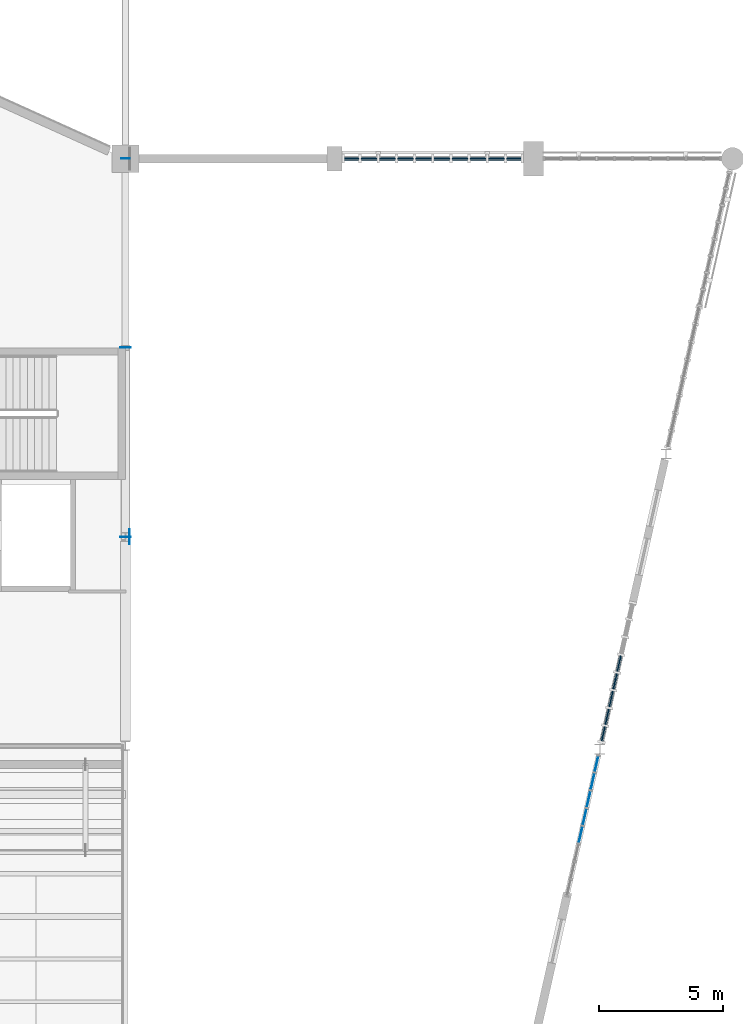
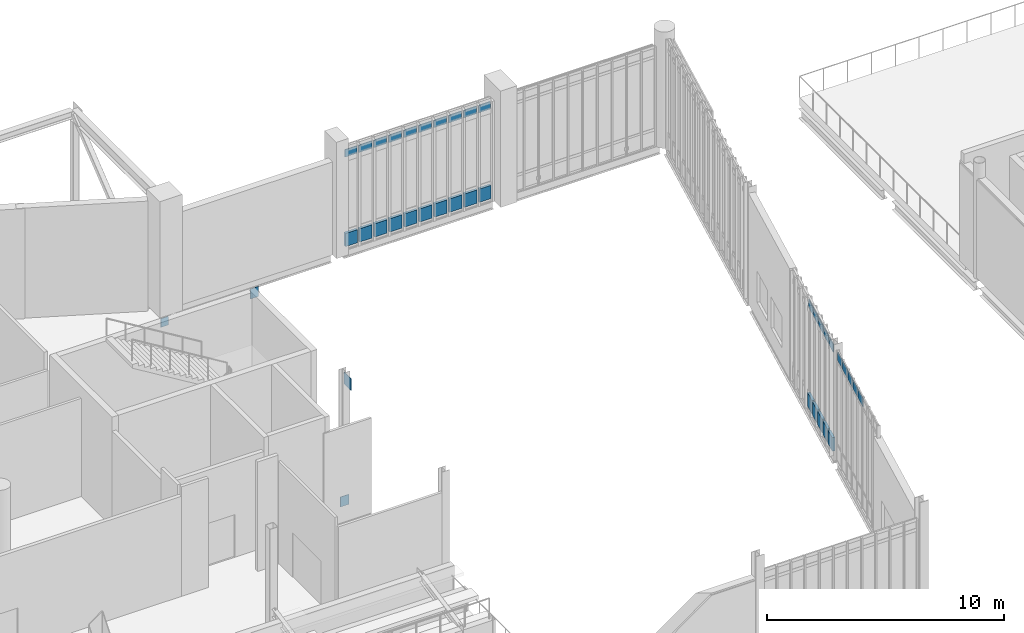
# One storey, part 99 of 135: 39 plates, 3 elements without a shape of their own.
"""IFC4 building model written with IfcOpenShell, lengths in metres."""

import ifcopenshell
import ifcopenshell.guid

model = None  # the IFC model being written
_history = None  # IfcOwnerHistory: only IFC2X3 demands one
_inside = {}  # id of a spatial element -> (the spatial element, [elements in it])
_under = {}  # id of a project, library or spatial element -> (it, [spatial elements below it])
_declared = {}  # id of a project -> (the project, [libraries it declares])
_typed = {}  # id of a type object -> (the type object, [elements of that type])
_made_of = {}  # id of a material, layer set ... -> (it, [elements and type objects made of it])


def new_model(schema):
    """Start an empty IFC model of exactly this schema.

    Asked for "IFC4X3", IfcOpenShell would pick the latest addendum, in which some entities
    have other attributes; the version numbers below select the first issue.
    IFC2X3 requires an IfcOwnerHistory on every rooted entity: one is made here for all.
    """
    global model, _history
    if schema == "IFC4X3":
        model = ifcopenshell.file(schema_version=(4, 3, 0, 0))
    else:
        model = ifcopenshell.file(schema=schema)
    _inside.clear()
    _under.clear()
    _declared.clear()
    _typed.clear()
    _made_of.clear()
    _history = None
    if model.schema == "IFC2X3":
        org = make("IfcOrganization", Name="unknown")
        user = make(
            "IfcPersonAndOrganization",
            ThePerson=make("IfcPerson", FamilyName="unknown"),
            TheOrganization=org,
        )
        app = make(
            "IfcApplication",
            ApplicationDeveloper=org,
            Version="unknown",
            ApplicationFullName="unknown",
            ApplicationIdentifier="unknown",
        )
        _history = make(
            "IfcOwnerHistory",
            OwningUser=user,
            OwningApplication=app,
            ChangeAction="ADDED",
            CreationDate=0,
        )
    return model


def make(cls, **values):
    """One entity of the class cls with the attributes given. An attribute that is None is left unset."""
    return model.create_entity(
        cls, **{name: value for name, value in values.items() if value is not None}
    )


def rooted(cls, **values):
    """An entity with a GlobalId (a new one), such as an element, a storey or a relation."""
    return make(cls, GlobalId=ifcopenshell.guid.new(), OwnerHistory=_history, **values)


def si_unit(unit_type, name, prefix=None):
    """IfcSIUnit, for example si_unit("LENGTHUNIT", "METRE", prefix="MILLI")."""
    return make("IfcSIUnit", UnitType=unit_type, Prefix=prefix, Name=name)


def assignment(units):
    """IfcUnitAssignment: the units of a project."""
    return None if units is None else make("IfcUnitAssignment", Units=units)


def point(xyz):
    """IfcCartesianPoint."""
    return None if xyz is None else make("IfcCartesianPoint", Coordinates=xyz)


def direction(xyz):
    """IfcDirection."""
    return None if xyz is None else make("IfcDirection", DirectionRatios=xyz)


def frame(location, z_axis=None, x_axis=None):
    """IfcAxis2Placement3D, a coordinate frame: its origin and axes. An axis left out is left unset."""
    return make(
        "IfcAxis2Placement3D",
        Location=point(location),
        Axis=direction(z_axis),
        RefDirection=direction(x_axis),
    )


def frame_2d(location, x_axis=None):
    """IfcAxis2Placement2D, a coordinate frame in the plane: its origin and x axis."""
    return make(
        "IfcAxis2Placement2D", Location=point(location), RefDirection=direction(x_axis)
    )


def origin():
    """The frame at (0, 0, 0) with its axes left unset."""
    return frame((0.0, 0.0, 0.0))


def origin_2d():
    """The frame at (0, 0) in the plane with its x axis left unset."""
    return frame_2d((0.0, 0.0))


def place(relative_to, where):
    """IfcLocalPlacement: puts the frame where relative to a parent placement (None: the world)."""
    return make(
        "IfcLocalPlacement", PlacementRelTo=relative_to, RelativePlacement=where
    )


def context(
    kind, dimensions, precision=None, world=None, true_north=None, identifier=None
):
    """IfcGeometricRepresentationContext, for example the 3D "Model" context."""
    return make(
        "IfcGeometricRepresentationContext",
        ContextIdentifier=identifier,
        ContextType=kind,
        CoordinateSpaceDimension=dimensions,
        Precision=precision,
        WorldCoordinateSystem=world,
        TrueNorth=true_north,
    )


def subcontext(parent, identifier, kind, view, scale=None):
    """IfcGeometricRepresentationSubContext, for example "Body" below "Model"."""
    return make(
        "IfcGeometricRepresentationSubContext",
        ContextIdentifier=identifier,
        ContextType=kind,
        ParentContext=parent,
        TargetScale=scale,
        TargetView=view,
    )


def project(units=None, contexts=None):
    """IfcProject with its units and contexts."""
    return rooted(
        "IfcProject",
        Name="project",
        RepresentationContexts=contexts,
        UnitsInContext=assignment(units),
    )


def spatial(cls, under=None, at=None, **own):
    """A site, building, storey or space (cls), placed at a placement, below another one or the project."""
    s = rooted(cls, ObjectPlacement=at, **own)
    if under is not None:
        _under.setdefault(under.id(), (under, []))[1].append(s)
    return s


def profile(cls, at=None, kind="AREA", **sizes):
    """A parametric profile (cls). Its sizes go by their IFC names, for example OverallWidth=200.0."""
    return make(cls, ProfileType=kind, Position=at, **sizes)


def rectangle(**sizes):
    """IfcRectangleProfileDef."""
    return profile("IfcRectangleProfileDef", **sizes)


def extrude(swept, where, along, depth):
    """IfcExtrudedAreaSolid: the profile swept, set in the frame where, extruded along a direction by depth."""
    return make(
        "IfcExtrudedAreaSolid",
        SweptArea=swept,
        Position=where,
        ExtrudedDirection=direction(along),
        Depth=depth,
    )


def shape(context_of_items, identifier, shape_type, items):
    """IfcShapeRepresentation: the items that make up one representation, for example the "Body"."""
    return make(
        "IfcShapeRepresentation",
        ContextOfItems=context_of_items,
        RepresentationIdentifier=identifier,
        RepresentationType=shape_type,
        Items=items,
    )


def material(Name=None, Category=None):
    """IfcMaterial."""
    return make("IfcMaterial", Name=Name, Category=Category)


def layer(
    of_material, thickness, ventilated=None, Name=None, Category=None, Priority=None
):
    """IfcMaterialLayer: one layer of a wall or slab, of a material (None: an air gap)."""
    return make(
        "IfcMaterialLayer",
        Material=of_material,
        LayerThickness=thickness,
        IsVentilated=ventilated,
        Name=Name,
        Category=Category,
        Priority=Priority,
    )


def layer_set(layers, Name=None):
    """IfcMaterialLayerSet."""
    return make("IfcMaterialLayerSet", MaterialLayers=layers, LayerSetName=Name)


def made_of(thing, what):
    """Note that an element or type object is made of a material, layer set ...; save() writes the relation."""
    if what is not None:
        _made_of.setdefault(what.id(), (what, []))[1].append(thing)
    return thing


def type_object(cls, material=None, **own):
    """A type object (cls), such as IfcWallType, which elements share."""
    return made_of(rooted(cls, **own), material)


def element(
    cls,
    number,
    at=None,
    inside=None,
    cuts=None,
    type_object=None,
    material=None,
    context=None,
    identifier="Body",
    shape_type=None,
    held_by="IfcProductDefinitionShape",
    body=None,
    shapes=None,
    **own,
):
    """One element of the class cls, such as IfcWall. Its Tag is "e" and its number.

    at: its placement. inside: the storey or other place that contains it. cuts: it is an
    opening in that element (IfcRelVoidsElement). A single representation is given by context,
    identifier, shape_type and body (its items); several are given by shapes. held_by: the class
    of the entity that holds the representations. save() writes the other relations.
    """
    e = rooted(cls, Tag="e%d" % number, ObjectPlacement=at, **own)
    if body is not None:
        shapes = [shape(context, identifier, shape_type, body)]
    if shapes is not None:
        e.Representation = make(held_by, Representations=shapes)
    if inside is not None:
        _inside.setdefault(inside.id(), (inside, []))[1].append(e)
    if cuts is not None:
        rooted(
            "IfcRelVoidsElement", RelatingBuildingElement=cuts, RelatedOpeningElement=e
        )
    if type_object is not None:
        _typed.setdefault(type_object.id(), (type_object, []))[1].append(e)
    return made_of(e, material)


def aggregate(whole, parts):
    """IfcRelAggregates: a whole, such as a stair, and the parts it consists of."""
    return rooted("IfcRelAggregates", RelatingObject=whole, RelatedObjects=parts)


def save(model, path):
    """Write the relations noted so far, then the file.

    IfcRelAggregates (storeys below a building ...), IfcRelContainedInSpatialStructure (elements
    in a storey), IfcRelDefinesByType, IfcRelAssociatesMaterial and IfcRelDeclares: one each for
    every whole, place, type object, material and project.
    """
    for whole, parts in _under.values():
        aggregate(whole, parts)
    for where, things in _inside.values():
        rooted(
            "IfcRelContainedInSpatialStructure",
            RelatedElements=things,
            RelatingStructure=where,
        )
    for kind, things in _typed.values():
        rooted("IfcRelDefinesByType", RelatedObjects=things, RelatingType=kind)
    for what, things in _made_of.values():
        rooted("IfcRelAssociatesMaterial", RelatedObjects=things, RelatingMaterial=what)
    for by, libraries in _declared.values():
        rooted("IfcRelDeclares", RelatingContext=by, RelatedDefinitions=libraries)
    model.write(path)


model = new_model("IFC4")

# Units and contexts
model_context = context("Model", 3, precision=1e-05, world=origin(), true_north=direction((0.0, 1.0)))
body_context = subcontext(model_context, "Body", "Model", "MODEL_VIEW")
ifc_project = project(units=[si_unit("LENGTHUNIT", "METRE"), si_unit("AREAUNIT", "SQUARE_METRE"), si_unit("VOLUMEUNIT", "CUBIC_METRE"), si_unit("PLANEANGLEUNIT", "RADIAN"), si_unit("MASSUNIT", "GRAM", prefix="KILO")], contexts=[model_context])

# Site, building, storey
site_placement = place(None, origin())
site = spatial("IfcSite", under=ifc_project, at=site_placement, CompositionType="ELEMENT")
building_placement = place(site_placement, origin())
building = spatial("IfcBuilding", under=site, at=building_placement, Name="Larkvane Passage Sports Hall", CompositionType="ELEMENT")
storey_placement = place(building_placement, frame((0.0, 0.0, 10.800048828125)))
storey = spatial("IfcBuildingStorey", under=building, at=storey_placement, Name="L02", CompositionType="ELEMENT", Elevation=10.800048828125)

# Curtain wall, plates
ifc_material_1 = material(Name="Thermally broken aluminium and low-E glazing", Category="aluminium")
curtain_wall_type_1 = type_object("IfcCurtainWallType", Name="CW-CLINIC", PredefinedType="USERDEFINED", material=ifc_material_1)
curtain_wall_1_placement = place(storey_placement, origin())
curtain_wall_1 = element("IfcCurtainWall", 1, at=curtain_wall_1_placement, inside=storey, type_object=curtain_wall_type_1, Name="Curtain wall CW5-L02-079", ObjectType="UNITISED CURTAIN WALL", PredefinedType="USERDEFINED")
ifc_material_2 = material(Name="Deep insulated facade spandrel panel")
ifc_layer_1 = layer(ifc_material_2, 0.125)
ifc_layer_set_1 = layer_set([ifc_layer_1], Name="Deep insulated facade spandrel panel")
plate_type_1 = type_object("IfcPlateType", Name="CWP-SPD-125", PredefinedType="CURTAIN_PANEL", material=ifc_layer_set_1)
plate_1_placement = place(storey_placement, frame((102.68896484375, 99.199951171875, 0.10986328125), z_axis=(0.0, 0.0, 1.0), x_axis=(1.0, 0.0, 0.0)))
plate_1 = element("IfcPlate", 2, at=plate_1_placement, type_object=plate_type_1, Name="CW-05 panel 1.1", PredefinedType="CURTAIN_PANEL", context=body_context, shape_type="SweptSolid", body=[
    extrude(rectangle(XDim=0.56591796875, YDim=0.125, at=origin_2d()), origin(), (0.0, 0.0, 1.0), 0.68505859375),
])
plate_2_placement = place(storey_placement, frame((103.39208984375, 99.199951171875, 0.10986328125), z_axis=(0.0, 0.0, 1.0), x_axis=(1.0, 0.0, 0.0)))
plate_2 = element("IfcPlate", 3, at=plate_2_placement, type_object=plate_type_1, Name="CW-05 panel 2.1", PredefinedType="CURTAIN_PANEL", context=body_context, shape_type="SweptSolid", body=[
    extrude(rectangle(XDim=0.620849609375, YDim=0.125, at=origin_2d()), origin(), (0.0, 0.0, 1.0), 0.68505859375),
])
plate_3_placement = place(storey_placement, frame((104.123046875, 99.199951171875, 0.10986328125), z_axis=(0.0, 0.0, 1.0), x_axis=(1.0, 0.0, 0.0)))
plate_3 = element("IfcPlate", 4, at=plate_3_placement, type_object=plate_type_1, Name="CW-05 panel 3.1", PredefinedType="CURTAIN_PANEL", context=body_context, shape_type="SweptSolid", body=[
    extrude(rectangle(XDim=0.620849609375, YDim=0.125, at=origin_2d()), origin(), (0.0, 0.0, 1.0), 0.68505859375),
])
plate_4_placement = place(storey_placement, frame((104.853759765625, 99.199951171875, 0.10986328125), z_axis=(0.0, 0.0, 1.0), x_axis=(1.0, 0.0, 0.0)))
plate_4 = element("IfcPlate", 5, at=plate_4_placement, type_object=plate_type_1, Name="CW-05 panel 4.1", PredefinedType="CURTAIN_PANEL", context=body_context, shape_type="SweptSolid", body=[
    extrude(rectangle(XDim=0.620849609375, YDim=0.125, at=origin_2d()), origin(), (0.0, 0.0, 1.0), 0.68505859375),
])
plate_5_placement = place(storey_placement, frame((105.584716796875, 99.199951171875, 0.10986328125), z_axis=(0.0, 0.0, 1.0), x_axis=(1.0, 0.0, 0.0)))
plate_5 = element("IfcPlate", 6, at=plate_5_placement, type_object=plate_type_1, Name="CW-05 panel 5.1", PredefinedType="CURTAIN_PANEL", context=body_context, shape_type="SweptSolid", body=[
    extrude(rectangle(XDim=0.620849609375, YDim=0.125, at=origin_2d()), origin(), (0.0, 0.0, 1.0), 0.68505859375),
])
plate_6_placement = place(storey_placement, frame((106.3154296875, 99.199951171875, 0.10986328125), z_axis=(0.0, 0.0, 1.0), x_axis=(1.0, 0.0, 0.0)))
plate_6 = element("IfcPlate", 7, at=plate_6_placement, type_object=plate_type_1, Name="CW-05 panel 6.1", PredefinedType="CURTAIN_PANEL", context=body_context, shape_type="SweptSolid", body=[
    extrude(rectangle(XDim=0.620849609375, YDim=0.125, at=origin_2d()), origin(), (0.0, 0.0, 1.0), 0.68505859375),
])
plate_7_placement = place(storey_placement, frame((107.046142578125, 99.199951171875, 0.10986328125), z_axis=(0.0, 0.0, 1.0), x_axis=(1.0, 0.0, 0.0)))
plate_7 = element("IfcPlate", 8, at=plate_7_placement, type_object=plate_type_1, Name="CW-05 panel 7.1", PredefinedType="CURTAIN_PANEL", context=body_context, shape_type="SweptSolid", body=[
    extrude(rectangle(XDim=0.620849609375, YDim=0.125, at=origin_2d()), origin(), (0.0, 0.0, 1.0), 0.68505859375),
])
plate_8_placement = place(storey_placement, frame((107.777099609375, 99.199951171875, 0.10986328125), z_axis=(0.0, 0.0, 1.0), x_axis=(1.0, 0.0, 0.0)))
plate_8 = element("IfcPlate", 9, at=plate_8_placement, type_object=plate_type_1, Name="CW-05 panel 8.1", PredefinedType="CURTAIN_PANEL", context=body_context, shape_type="SweptSolid", body=[
    extrude(rectangle(XDim=0.620849609375, YDim=0.125, at=origin_2d()), origin(), (0.0, 0.0, 1.0), 0.68505859375),
])
plate_9_placement = place(storey_placement, frame((108.5078125, 99.199951171875, 0.10986328125), z_axis=(0.0, 0.0, 1.0), x_axis=(1.0, 0.0, 0.0)))
plate_9 = element("IfcPlate", 10, at=plate_9_placement, type_object=plate_type_1, Name="CW-05 panel 9.1", PredefinedType="CURTAIN_PANEL", context=body_context, shape_type="SweptSolid", body=[
    extrude(rectangle(XDim=0.620849609375, YDim=0.125, at=origin_2d()), origin(), (0.0, 0.0, 1.0), 0.68505859375),
])
plate_10_placement = place(storey_placement, frame((109.211181640625, 99.199951171875, 0.10986328125), z_axis=(0.0, 0.0, 1.0), x_axis=(1.0, 0.0, 0.0)))
plate_10 = element("IfcPlate", 11, at=plate_10_placement, type_object=plate_type_1, Name="CW-05 panel 10.1", PredefinedType="CURTAIN_PANEL", context=body_context, shape_type="SweptSolid", body=[
    extrude(rectangle(XDim=0.56591796875, YDim=0.125, at=origin_2d()), origin(), (0.0, 0.0, 1.0), 0.68505859375),
])

curtain_wall_2_placement = place(storey_placement, origin())
curtain_wall_2 = element("IfcCurtainWall", 12, at=curtain_wall_2_placement, inside=storey, type_object=curtain_wall_type_1, Name="Curtain wall CW5-L02-083", ObjectType="UNITISED CURTAIN WALL", PredefinedType="USERDEFINED")
plate_11_placement = place(storey_placement, frame((113.439697265625, 78.90625, 0.10009765625), z_axis=(0.0, 0.0, 1.0), x_axis=(-0.219244189156, -0.975670018767, 0.0)))
plate_11 = element("IfcPlate", 13, at=plate_11_placement, type_object=plate_type_1, Name="CW-05 panel 4.1", PredefinedType="CURTAIN_PANEL", context=body_context, shape_type="SweptSolid", body=[
    extrude(rectangle(XDim=0.63037109375, YDim=0.125, at=origin_2d()), origin(), (0.0, 0.0, 1.0), 0.699951171875),
])
plate_12_placement = place(storey_placement, frame((113.279541015625, 78.193603515625, 0.10009765625), z_axis=(0.0, 0.0, 1.0), x_axis=(-0.219244189156, -0.975670018767, 0.0)))
plate_12 = element("IfcPlate", 14, at=plate_12_placement, type_object=plate_type_1, Name="CW-05 panel 5.1", PredefinedType="CURTAIN_PANEL", context=body_context, shape_type="SweptSolid", body=[
    extrude(rectangle(XDim=0.63037109375, YDim=0.125, at=origin_2d()), origin(), (0.0, 0.0, 1.0), 0.699951171875),
])
plate_13_placement = place(storey_placement, frame((113.119384765625, 77.481201171875, 0.10009765625), z_axis=(0.0, 0.0, 1.0), x_axis=(-0.219244189156, -0.975670018767, 0.0)))
plate_13 = element("IfcPlate", 15, at=plate_13_placement, type_object=plate_type_1, Name="CW-05 panel 6.1", PredefinedType="CURTAIN_PANEL", context=body_context, shape_type="SweptSolid", body=[
    extrude(rectangle(XDim=0.63037109375, YDim=0.125, at=origin_2d()), origin(), (0.0, 0.0, 1.0), 0.699951171875),
])
plate_14_placement = place(storey_placement, frame((112.959228515625, 76.7685546875, 0.10009765625), z_axis=(0.0, 0.0, 1.0), x_axis=(-0.219244189156, -0.975670018767, 0.0)))
plate_14 = element("IfcPlate", 16, at=plate_14_placement, type_object=plate_type_1, Name="CW-05 panel 7.1", PredefinedType="CURTAIN_PANEL", context=body_context, shape_type="SweptSolid", body=[
    extrude(rectangle(XDim=0.63037109375, YDim=0.125, at=origin_2d()), origin(), (0.0, 0.0, 1.0), 0.699951171875),
])
plate_15_placement = place(storey_placement, frame((112.8046875, 76.08056640625, 0.10009765625), z_axis=(0.0, 0.0, 1.0), x_axis=(-0.219244189156, -0.975670018767, 0.0)))
plate_15 = element("IfcPlate", 17, at=plate_15_placement, type_object=plate_type_1, Name="CW-05 panel 8.1", PredefinedType="CURTAIN_PANEL", context=body_context, shape_type="SweptSolid", body=[
    extrude(rectangle(XDim=0.580322265625, YDim=0.125, at=origin_2d()), origin(), (0.0, 0.0, 1.0), 0.699951171875),
])

curtain_wall_type_2 = type_object("IfcCurtainWallType", Name="CW-UNIT-COURT", PredefinedType="USERDEFINED", material=ifc_material_1)
curtain_wall_3_placement = place(storey_placement, origin())
curtain_wall_3 = element("IfcCurtainWall", 18, at=curtain_wall_3_placement, inside=storey, type_object=curtain_wall_type_2, Name="Curtain wall CW5-L02-084", ObjectType="UNITISED CURTAIN WALL", PredefinedType="USERDEFINED")
ifc_material_3 = material(Name="Solar-control low-E double glazing", Category="glass")
ifc_layer_2 = layer(ifc_material_3, 0.028076171875)
ifc_layer_set_2 = layer_set([ifc_layer_2], Name="Solar-control low-E double glazing")
plate_type_2 = type_object("IfcPlateType", Name="CWP-VIS-28", PredefinedType="CURTAIN_PANEL", material=ifc_layer_set_2)
plate_16_placement = place(storey_placement, frame((112.532470703125, 74.8701171875, 5.179931640625), z_axis=(0.0, 0.0, 1.0), x_axis=(-0.219243647747, -0.975670140428, 0.0)))
plate_16 = element("IfcPlate", 19, at=plate_16_placement, type_object=plate_type_2, Name="CW-01 panel 1.3", PredefinedType="CURTAIN_PANEL", context=body_context, shape_type="SweptSolid", body=[
    extrude(rectangle(XDim=0.64111328125, YDim=0.028076171875, at=origin_2d()), origin(), (0.0, 0.0, 1.0), 0.4599609375),
])
plate_17_placement = place(storey_placement, frame((112.37548828125, 74.17138671875, 5.179931640625), z_axis=(0.0, 0.0, 1.0), x_axis=(-0.219243647747, -0.975670140428, 0.0)))
plate_17 = element("IfcPlate", 20, at=plate_17_placement, type_object=plate_type_2, Name="CW-01 panel 2.3", PredefinedType="CURTAIN_PANEL", context=body_context, shape_type="SweptSolid", body=[
    extrude(rectangle(XDim=0.671142578125, YDim=0.028076171875, at=origin_2d()), origin(), (0.0, 0.0, 1.0), 0.4599609375),
])
plate_18_placement = place(storey_placement, frame((112.21533203125, 73.458251953125, 5.179931640625), z_axis=(0.0, 0.0, 1.0), x_axis=(-0.219243647747, -0.975670140428, 0.0)))
plate_18 = element("IfcPlate", 21, at=plate_18_placement, type_object=plate_type_2, Name="CW-01 panel 3.3", PredefinedType="CURTAIN_PANEL", context=body_context, shape_type="SweptSolid", body=[
    extrude(rectangle(XDim=0.671142578125, YDim=0.028076171875, at=origin_2d()), origin(), (0.0, 0.0, 1.0), 0.4599609375),
])
plate_19_placement = place(storey_placement, frame((112.054931640625, 72.744873046875, 5.179931640625), z_axis=(0.0, 0.0, 1.0), x_axis=(-0.219243647747, -0.975670140428, 0.0)))
plate_19 = element("IfcPlate", 22, at=plate_19_placement, type_object=plate_type_2, Name="CW-01 panel 4.3", PredefinedType="CURTAIN_PANEL", context=body_context, shape_type="SweptSolid", body=[
    extrude(rectangle(XDim=0.671142578125, YDim=0.028076171875, at=origin_2d()), origin(), (0.0, 0.0, 1.0), 0.4599609375),
])
plate_20_placement = place(storey_placement, frame((111.894775390625, 72.03173828125, 5.179931640625), z_axis=(0.0, 0.0, 1.0), x_axis=(-0.219243647747, -0.975670140428, 0.0)))
plate_20 = element("IfcPlate", 23, at=plate_20_placement, type_object=plate_type_2, Name="CW-01 panel 5.3", PredefinedType="CURTAIN_PANEL", context=body_context, shape_type="SweptSolid", body=[
    extrude(rectangle(XDim=0.671142578125, YDim=0.028076171875, at=origin_2d()), origin(), (0.0, 0.0, 1.0), 0.4599609375),
])
aggregate(curtain_wall_3, [plate_16, plate_17, plate_18, plate_19, plate_20])

# Plate
ifc_material_4 = material(Name="Triple-laminated typhoon glazing", Category="glass")
ifc_layer_3 = layer(ifc_material_4, 0.0419921875)
ifc_layer_set_3 = layer_set([ifc_layer_3], Name="Triple-laminated typhoon glazing")
plate_type_3 = type_object("IfcPlateType", Name="CWP-VIS-42", PredefinedType="CURTAIN_PANEL", material=ifc_layer_set_3)
plate_21_placement = place(storey_placement, frame((102.68896484375, 99.199951171875, 4.703125), z_axis=(0.0, 0.0, 1.0), x_axis=(1.0, 0.0, 0.0)))
plate_21 = element("IfcPlate", 24, at=plate_21_placement, type_object=plate_type_3, Name="CW-05 panel 1.3", PredefinedType="CURTAIN_PANEL", context=body_context, shape_type="SweptSolid", body=[
    extrude(rectangle(XDim=0.56591796875, YDim=0.0419921875, at=origin_2d()), origin(), (0.0, 0.0, 1.0), 0.385009765625),
])

plate_22_placement = place(storey_placement, frame((103.39208984375, 99.199951171875, 4.703125), z_axis=(0.0, 0.0, 1.0), x_axis=(1.0, 0.0, 0.0)))
plate_22 = element("IfcPlate", 25, at=plate_22_placement, type_object=plate_type_3, Name="CW-05 panel 2.3", PredefinedType="CURTAIN_PANEL", context=body_context, shape_type="SweptSolid", body=[
    extrude(rectangle(XDim=0.620849609375, YDim=0.0419921875, at=origin_2d()), origin(), (0.0, 0.0, 1.0), 0.385009765625),
])

plate_23_placement = place(storey_placement, frame((104.123046875, 99.199951171875, 4.703125), z_axis=(0.0, 0.0, 1.0), x_axis=(1.0, 0.0, 0.0)))
plate_23 = element("IfcPlate", 26, at=plate_23_placement, type_object=plate_type_3, Name="CW-05 panel 3.3", PredefinedType="CURTAIN_PANEL", context=body_context, shape_type="SweptSolid", body=[
    extrude(rectangle(XDim=0.620849609375, YDim=0.0419921875, at=origin_2d()), origin(), (0.0, 0.0, 1.0), 0.385009765625),
])

plate_24_placement = place(storey_placement, frame((104.853759765625, 99.199951171875, 4.703125), z_axis=(0.0, 0.0, 1.0), x_axis=(1.0, 0.0, 0.0)))
plate_24 = element("IfcPlate", 27, at=plate_24_placement, type_object=plate_type_3, Name="CW-05 panel 4.3", PredefinedType="CURTAIN_PANEL", context=body_context, shape_type="SweptSolid", body=[
    extrude(rectangle(XDim=0.620849609375, YDim=0.0419921875, at=origin_2d()), origin(), (0.0, 0.0, 1.0), 0.385009765625),
])

plate_25_placement = place(storey_placement, frame((105.584716796875, 99.199951171875, 4.703125), z_axis=(0.0, 0.0, 1.0), x_axis=(1.0, 0.0, 0.0)))
plate_25 = element("IfcPlate", 28, at=plate_25_placement, type_object=plate_type_3, Name="CW-05 panel 5.3", PredefinedType="CURTAIN_PANEL", context=body_context, shape_type="SweptSolid", body=[
    extrude(rectangle(XDim=0.620849609375, YDim=0.0419921875, at=origin_2d()), origin(), (0.0, 0.0, 1.0), 0.385009765625),
])

plate_26_placement = place(storey_placement, frame((106.3154296875, 99.199951171875, 4.703125), z_axis=(0.0, 0.0, 1.0), x_axis=(1.0, 0.0, 0.0)))
plate_26 = element("IfcPlate", 29, at=plate_26_placement, type_object=plate_type_3, Name="CW-05 panel 6.3", PredefinedType="CURTAIN_PANEL", context=body_context, shape_type="SweptSolid", body=[
    extrude(rectangle(XDim=0.620849609375, YDim=0.0419921875, at=origin_2d()), origin(), (0.0, 0.0, 1.0), 0.385009765625),
])

plate_27_placement = place(storey_placement, frame((107.046142578125, 99.199951171875, 4.703125), z_axis=(0.0, 0.0, 1.0), x_axis=(1.0, 0.0, 0.0)))
plate_27 = element("IfcPlate", 30, at=plate_27_placement, type_object=plate_type_3, Name="CW-05 panel 7.3", PredefinedType="CURTAIN_PANEL", context=body_context, shape_type="SweptSolid", body=[
    extrude(rectangle(XDim=0.620849609375, YDim=0.0419921875, at=origin_2d()), origin(), (0.0, 0.0, 1.0), 0.385009765625),
])

plate_28_placement = place(storey_placement, frame((107.777099609375, 99.199951171875, 4.703125), z_axis=(0.0, 0.0, 1.0), x_axis=(1.0, 0.0, 0.0)))
plate_28 = element("IfcPlate", 31, at=plate_28_placement, type_object=plate_type_3, Name="CW-05 panel 8.3", PredefinedType="CURTAIN_PANEL", context=body_context, shape_type="SweptSolid", body=[
    extrude(rectangle(XDim=0.620849609375, YDim=0.0419921875, at=origin_2d()), origin(), (0.0, 0.0, 1.0), 0.385009765625),
])

plate_29_placement = place(storey_placement, frame((108.5078125, 99.199951171875, 4.703125), z_axis=(0.0, 0.0, 1.0), x_axis=(1.0, 0.0, 0.0)))
plate_29 = element("IfcPlate", 32, at=plate_29_placement, type_object=plate_type_3, Name="CW-05 panel 9.3", PredefinedType="CURTAIN_PANEL", context=body_context, shape_type="SweptSolid", body=[
    extrude(rectangle(XDim=0.620849609375, YDim=0.0419921875, at=origin_2d()), origin(), (0.0, 0.0, 1.0), 0.385009765625),
])

plate_30_placement = place(storey_placement, frame((109.211181640625, 99.199951171875, 4.703125), z_axis=(0.0, 0.0, 1.0), x_axis=(1.0, 0.0, 0.0)))
plate_30 = element("IfcPlate", 33, at=plate_30_placement, type_object=plate_type_3, Name="CW-05 panel 10.3", PredefinedType="CURTAIN_PANEL", context=body_context, shape_type="SweptSolid", body=[
    extrude(rectangle(XDim=0.56591796875, YDim=0.0419921875, at=origin_2d()), origin(), (0.0, 0.0, 1.0), 0.385009765625),
])

aggregate(curtain_wall_1, [plate_1, plate_21, plate_2, plate_22, plate_3, plate_23, plate_4, plate_24, plate_5, plate_25, plate_6, plate_26, plate_7, plate_27, plate_8, plate_28, plate_9, plate_29, plate_10, plate_30])

plate_31_placement = place(storey_placement, frame((113.439697265625, 78.90625, 5.199951171875), z_axis=(0.0, 0.0, 1.0), x_axis=(-0.219244189156, -0.975670018767, 0.0)))
plate_31 = element("IfcPlate", 34, at=plate_31_placement, type_object=plate_type_3, Name="CW-05 panel 4.3", PredefinedType="CURTAIN_PANEL", context=body_context, shape_type="SweptSolid", body=[
    extrude(rectangle(XDim=0.63037109375, YDim=0.0419921875, at=origin_2d()), origin(), (0.0, 0.0, 1.0), 0.39990234375),
])

plate_32_placement = place(storey_placement, frame((113.279541015625, 78.193603515625, 5.199951171875), z_axis=(0.0, 0.0, 1.0), x_axis=(-0.219244189156, -0.975670018767, 0.0)))
plate_32 = element("IfcPlate", 35, at=plate_32_placement, type_object=plate_type_3, Name="CW-05 panel 5.3", PredefinedType="CURTAIN_PANEL", context=body_context, shape_type="SweptSolid", body=[
    extrude(rectangle(XDim=0.63037109375, YDim=0.0419921875, at=origin_2d()), origin(), (0.0, 0.0, 1.0), 0.39990234375),
])

plate_33_placement = place(storey_placement, frame((113.119384765625, 77.481201171875, 5.199951171875), z_axis=(0.0, 0.0, 1.0), x_axis=(-0.219244189156, -0.975670018767, 0.0)))
plate_33 = element("IfcPlate", 36, at=plate_33_placement, type_object=plate_type_3, Name="CW-05 panel 6.3", PredefinedType="CURTAIN_PANEL", context=body_context, shape_type="SweptSolid", body=[
    extrude(rectangle(XDim=0.63037109375, YDim=0.0419921875, at=origin_2d()), origin(), (0.0, 0.0, 1.0), 0.39990234375),
])

plate_34_placement = place(storey_placement, frame((112.959228515625, 76.7685546875, 5.199951171875), z_axis=(0.0, 0.0, 1.0), x_axis=(-0.219244189156, -0.975670018767, 0.0)))
plate_34 = element("IfcPlate", 37, at=plate_34_placement, type_object=plate_type_3, Name="CW-05 panel 7.3", PredefinedType="CURTAIN_PANEL", context=body_context, shape_type="SweptSolid", body=[
    extrude(rectangle(XDim=0.63037109375, YDim=0.0419921875, at=origin_2d()), origin(), (0.0, 0.0, 1.0), 0.39990234375),
])

plate_35_placement = place(storey_placement, frame((112.8046875, 76.08056640625, 5.199951171875), z_axis=(0.0, 0.0, 1.0), x_axis=(-0.219244189156, -0.975670018767, 0.0)))
plate_35 = element("IfcPlate", 38, at=plate_35_placement, type_object=plate_type_3, Name="CW-05 panel 8.3", PredefinedType="CURTAIN_PANEL", context=body_context, shape_type="SweptSolid", body=[
    extrude(rectangle(XDim=0.580322265625, YDim=0.0419921875, at=origin_2d()), origin(), (0.0, 0.0, 1.0), 0.39990234375),
])

aggregate(curtain_wall_2, [plate_11, plate_31, plate_12, plate_32, plate_13, plate_33, plate_14, plate_34, plate_15, plate_35])

# Plates
ifc_material_5 = material(Name="Steel S460N", Category="steel")
ifc_layer_4 = layer(ifc_material_5, 0.02001953125)
ifc_layer_set_4 = layer_set([ifc_layer_4], Name="Steel S460N")
plate_type_4 = type_object("IfcPlateType", Name="PLT-CAP-20", PredefinedType="SHEET", material=ifc_layer_set_4)
for number, where, z_axis, x_axis, name in (
    (39, (93.60009765625, 83.9921875, -0.97509765625), (0.0, 0.0, 1.0), (-1.0, 0.0, 0.0), "Hollow section sealed end cap plate 0142"),
    (40, (93.60009765625, 91.60791015625, 5.1376953125), (0.0, 0.0, 1.0), (-1.0, 0.0, 0.0), "Hollow section sealed end cap plate 0143"),
):
    element("IfcPlate", number, at=place(storey_placement, frame(where, z_axis=z_axis, x_axis=x_axis)), inside=storey, type_object=plate_type_4, Name=name, PredefinedType="SHEET", context=body_context, shape_type="SweptSolid", body=[
        extrude(rectangle(XDim=0.409912109375, YDim=0.028076171875, at=origin_2d()), origin(), (0.0, 0.0, 1.0), 0.509033203125),
    ])
plate_36_placement = place(storey_placement, frame((93.60009765625, 99.207763671875, -0.94287109375), z_axis=(0.0, 0.0, 1.0), x_axis=(-1.0, 0.0, 0.0)))
element("IfcPlate", 41, at=plate_36_placement, inside=storey, type_object=plate_type_4, Name="Hollow section sealed end cap plate 0144", PredefinedType="SHEET", context=body_context, shape_type="SweptSolid", body=[
    extrude(rectangle(XDim=0.360107421875, YDim=0.028076171875, at=origin_2d()), origin(), (0.0, 0.0, 1.0), 0.445068359375),
])
ifc_layer_5 = layer(ifc_material_5, 0.01611328125)
ifc_layer_set_5 = layer_set([ifc_layer_5], Name="Steel S460N")
plate_type_5 = type_object("IfcPlateType", Name="PLT-GUS-16", PredefinedType="USERDEFINED", material=ifc_layer_set_5)
plate_37_placement = place(storey_placement, frame((93.758056640625, 84.0, 5.0859375), z_axis=(0.0, 0.0, 1.0), x_axis=(0.0, 1.0, 0.0)))
element("IfcPlate", 42, at=plate_37_placement, inside=storey, type_object=plate_type_5, Name="Truss node gusset plate ND-1T (CT-N2A-2)", ObjectType="GUSSET PLATE", PredefinedType="USERDEFINED", context=body_context, shape_type="SweptSolid", body=[
    extrude(rectangle(XDim=0.60009765625, YDim=0.01611328125, at=origin_2d()), origin(), (0.0, 0.0, 1.0), 0.60009765625),
])

save(model, "model.ifc")
